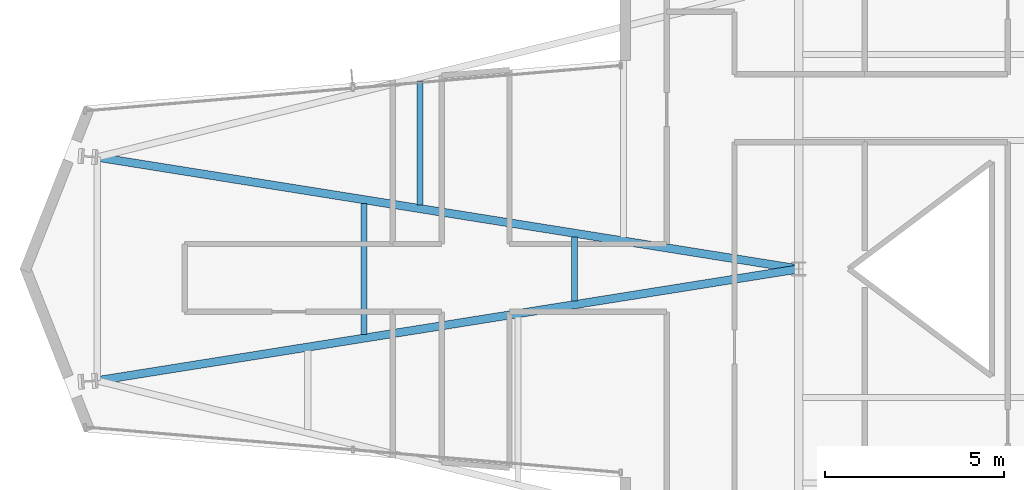
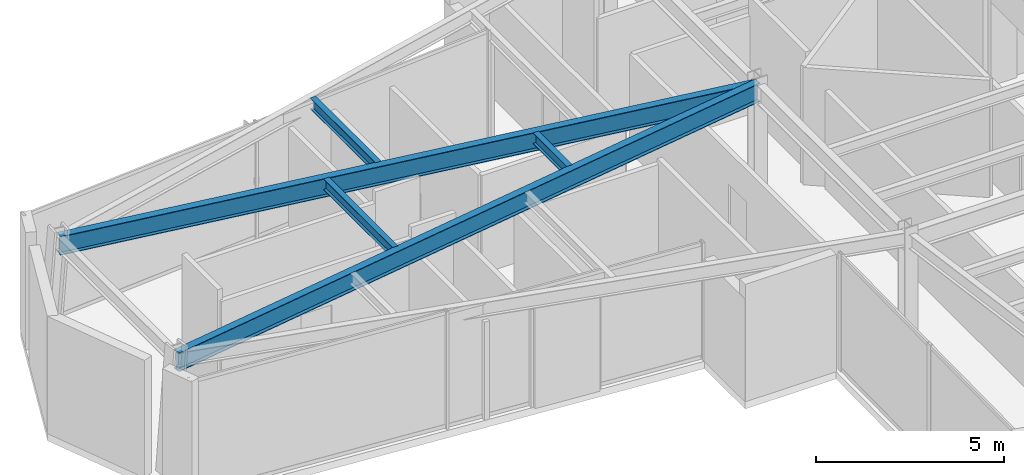
# One storey, part 7 of 25: 5 beams.
"""IFC4 building model written with IfcOpenShell, lengths in metres."""

import ifcopenshell
import ifcopenshell.guid

model = None  # the IFC model being written
_history = None  # IfcOwnerHistory: only IFC2X3 demands one
_inside = {}  # id of a spatial element -> (the spatial element, [elements in it])
_under = {}  # id of a project, library or spatial element -> (it, [spatial elements below it])
_declared = {}  # id of a project -> (the project, [libraries it declares])
_typed = {}  # id of a type object -> (the type object, [elements of that type])
_made_of = {}  # id of a material, layer set ... -> (it, [elements and type objects made of it])


def new_model(schema):
    """Start an empty IFC model of exactly this schema.

    Asked for "IFC4X3", IfcOpenShell would pick the latest addendum, in which some entities
    have other attributes; the version numbers below select the first issue.
    IFC2X3 requires an IfcOwnerHistory on every rooted entity: one is made here for all.
    """
    global model, _history
    if schema == "IFC4X3":
        model = ifcopenshell.file(schema_version=(4, 3, 0, 0))
    else:
        model = ifcopenshell.file(schema=schema)
    _inside.clear()
    _under.clear()
    _declared.clear()
    _typed.clear()
    _made_of.clear()
    _history = None
    if model.schema == "IFC2X3":
        org = make("IfcOrganization", Name="unknown")
        user = make(
            "IfcPersonAndOrganization",
            ThePerson=make("IfcPerson", FamilyName="unknown"),
            TheOrganization=org,
        )
        app = make(
            "IfcApplication",
            ApplicationDeveloper=org,
            Version="unknown",
            ApplicationFullName="unknown",
            ApplicationIdentifier="unknown",
        )
        _history = make(
            "IfcOwnerHistory",
            OwningUser=user,
            OwningApplication=app,
            ChangeAction="ADDED",
            CreationDate=0,
        )
    return model


def make(cls, **values):
    """One entity of the class cls with the attributes given. An attribute that is None is left unset."""
    return model.create_entity(
        cls, **{name: value for name, value in values.items() if value is not None}
    )


def rooted(cls, **values):
    """An entity with a GlobalId (a new one), such as an element, a storey or a relation."""
    return make(cls, GlobalId=ifcopenshell.guid.new(), OwnerHistory=_history, **values)


def si_unit(unit_type, name, prefix=None):
    """IfcSIUnit, for example si_unit("LENGTHUNIT", "METRE", prefix="MILLI")."""
    return make("IfcSIUnit", UnitType=unit_type, Prefix=prefix, Name=name)


def assignment(units):
    """IfcUnitAssignment: the units of a project."""
    return None if units is None else make("IfcUnitAssignment", Units=units)


def point(xyz):
    """IfcCartesianPoint."""
    return None if xyz is None else make("IfcCartesianPoint", Coordinates=xyz)


def direction(xyz):
    """IfcDirection."""
    return None if xyz is None else make("IfcDirection", DirectionRatios=xyz)


def frame(location, z_axis=None, x_axis=None):
    """IfcAxis2Placement3D, a coordinate frame: its origin and axes. An axis left out is left unset."""
    return make(
        "IfcAxis2Placement3D",
        Location=point(location),
        Axis=direction(z_axis),
        RefDirection=direction(x_axis),
    )


def frame_2d(location, x_axis=None):
    """IfcAxis2Placement2D, a coordinate frame in the plane: its origin and x axis."""
    return make(
        "IfcAxis2Placement2D", Location=point(location), RefDirection=direction(x_axis)
    )


def origin():
    """The frame at (0, 0, 0) with its axes left unset."""
    return frame((0.0, 0.0, 0.0))


def origin_2d():
    """The frame at (0, 0) in the plane with its x axis left unset."""
    return frame_2d((0.0, 0.0))


def place(relative_to, where):
    """IfcLocalPlacement: puts the frame where relative to a parent placement (None: the world)."""
    return make(
        "IfcLocalPlacement", PlacementRelTo=relative_to, RelativePlacement=where
    )


def context(
    kind, dimensions, precision=None, world=None, true_north=None, identifier=None
):
    """IfcGeometricRepresentationContext, for example the 3D "Model" context."""
    return make(
        "IfcGeometricRepresentationContext",
        ContextIdentifier=identifier,
        ContextType=kind,
        CoordinateSpaceDimension=dimensions,
        Precision=precision,
        WorldCoordinateSystem=world,
        TrueNorth=true_north,
    )


def subcontext(parent, identifier, kind, view, scale=None):
    """IfcGeometricRepresentationSubContext, for example "Body" below "Model"."""
    return make(
        "IfcGeometricRepresentationSubContext",
        ContextIdentifier=identifier,
        ContextType=kind,
        ParentContext=parent,
        TargetScale=scale,
        TargetView=view,
    )


def project(units=None, contexts=None):
    """IfcProject with its units and contexts."""
    return rooted(
        "IfcProject",
        Name="project",
        RepresentationContexts=contexts,
        UnitsInContext=assignment(units),
    )


def spatial(cls, under=None, at=None, **own):
    """A site, building, storey or space (cls), placed at a placement, below another one or the project."""
    s = rooted(cls, ObjectPlacement=at, **own)
    if under is not None:
        _under.setdefault(under.id(), (under, []))[1].append(s)
    return s


def profile(cls, at=None, kind="AREA", **sizes):
    """A parametric profile (cls). Its sizes go by their IFC names, for example OverallWidth=200.0."""
    return make(cls, ProfileType=kind, Position=at, **sizes)


def i_section(**sizes):
    """IfcIShapeProfileDef."""
    return profile("IfcIShapeProfileDef", **sizes)


def extrude(swept, where, along, depth):
    """IfcExtrudedAreaSolid: the profile swept, set in the frame where, extruded along a direction by depth."""
    return make(
        "IfcExtrudedAreaSolid",
        SweptArea=swept,
        Position=where,
        ExtrudedDirection=direction(along),
        Depth=depth,
    )


def shape(context_of_items, identifier, shape_type, items):
    """IfcShapeRepresentation: the items that make up one representation, for example the "Body"."""
    return make(
        "IfcShapeRepresentation",
        ContextOfItems=context_of_items,
        RepresentationIdentifier=identifier,
        RepresentationType=shape_type,
        Items=items,
    )


def material(Name=None, Category=None):
    """IfcMaterial."""
    return make("IfcMaterial", Name=Name, Category=Category)


def material_profile(
    of_material, cross_section, Name=None, Category=None, Priority=None
):
    """IfcMaterialProfile: a cross section and its material."""
    return make(
        "IfcMaterialProfile",
        Name=Name,
        Material=of_material,
        Profile=cross_section,
        Priority=Priority,
        Category=Category,
    )


def profile_set(profiles, Name=None, composite=None):
    """IfcMaterialProfileSet."""
    return make(
        "IfcMaterialProfileSet",
        Name=Name,
        MaterialProfiles=profiles,
        CompositeProfile=composite,
    )


def made_of(thing, what):
    """Note that an element or type object is made of a material, layer set ...; save() writes the relation."""
    if what is not None:
        _made_of.setdefault(what.id(), (what, []))[1].append(thing)
    return thing


def type_object(cls, material=None, **own):
    """A type object (cls), such as IfcWallType, which elements share."""
    return made_of(rooted(cls, **own), material)


def element(
    cls,
    number,
    at=None,
    inside=None,
    cuts=None,
    type_object=None,
    material=None,
    context=None,
    identifier="Body",
    shape_type=None,
    held_by="IfcProductDefinitionShape",
    body=None,
    shapes=None,
    **own,
):
    """One element of the class cls, such as IfcWall. Its Tag is "e" and its number.

    at: its placement. inside: the storey or other place that contains it. cuts: it is an
    opening in that element (IfcRelVoidsElement). A single representation is given by context,
    identifier, shape_type and body (its items); several are given by shapes. held_by: the class
    of the entity that holds the representations. save() writes the other relations.
    """
    e = rooted(cls, Tag="e%d" % number, ObjectPlacement=at, **own)
    if body is not None:
        shapes = [shape(context, identifier, shape_type, body)]
    if shapes is not None:
        e.Representation = make(held_by, Representations=shapes)
    if inside is not None:
        _inside.setdefault(inside.id(), (inside, []))[1].append(e)
    if cuts is not None:
        rooted(
            "IfcRelVoidsElement", RelatingBuildingElement=cuts, RelatedOpeningElement=e
        )
    if type_object is not None:
        _typed.setdefault(type_object.id(), (type_object, []))[1].append(e)
    return made_of(e, material)


def aggregate(whole, parts):
    """IfcRelAggregates: a whole, such as a stair, and the parts it consists of."""
    return rooted("IfcRelAggregates", RelatingObject=whole, RelatedObjects=parts)


def save(model, path):
    """Write the relations noted so far, then the file.

    IfcRelAggregates (storeys below a building ...), IfcRelContainedInSpatialStructure (elements
    in a storey), IfcRelDefinesByType, IfcRelAssociatesMaterial and IfcRelDeclares: one each for
    every whole, place, type object, material and project.
    """
    for whole, parts in _under.values():
        aggregate(whole, parts)
    for where, things in _inside.values():
        rooted(
            "IfcRelContainedInSpatialStructure",
            RelatedElements=things,
            RelatingStructure=where,
        )
    for kind, things in _typed.values():
        rooted("IfcRelDefinesByType", RelatedObjects=things, RelatingType=kind)
    for what, things in _made_of.values():
        rooted("IfcRelAssociatesMaterial", RelatedObjects=things, RelatingMaterial=what)
    for by, libraries in _declared.values():
        rooted("IfcRelDeclares", RelatingContext=by, RelatedDefinitions=libraries)
    model.write(path)


model = new_model("IFC4")

# Units and contexts
model_context = context("Model", 3, precision=1e-05, world=origin(), true_north=direction((0.0, 1.0)))
body_context = subcontext(model_context, "Body", "Model", "MODEL_VIEW")
ifc_project = project(units=[si_unit("LENGTHUNIT", "METRE"), si_unit("AREAUNIT", "SQUARE_METRE"), si_unit("VOLUMEUNIT", "CUBIC_METRE"), si_unit("PLANEANGLEUNIT", "RADIAN"), si_unit("MASSUNIT", "GRAM", prefix="KILO")], contexts=[model_context])

# Site, building, storey
site_placement = place(None, origin())
site = spatial("IfcSite", under=ifc_project, at=site_placement, CompositionType="ELEMENT")
building_placement = place(site_placement, origin())
building = spatial("IfcBuilding", under=site, at=building_placement, Name="Veymaron Broadcast Tower", CompositionType="ELEMENT")
storey_placement = place(building_placement, frame((0.0, 0.0, 149.25)))
storey = spatial("IfcBuildingStorey", under=building, at=storey_placement, Name="L34", CompositionType="ELEMENT", Elevation=149.25)

# Beams
ifc_material = material(Name="Structural steel ASTM A992 Gr 50", Category="steel")
ifc_material_profile_1 = material_profile(ifc_material, i_section(OverallWidth=0.22802734375, OverallDepth=0.60791015625, WebThickness=0.01123046875, FlangeThickness=0.017333984375, at=origin_2d()), Name="W610X113")
ifc_profile_set_1 = profile_set([ifc_material_profile_1], Name="Structural steel ASTM A992 Gr 50")
beam_type_1 = type_object("IfcBeamType", Name="BM-FG2", PredefinedType="BEAM", material=ifc_profile_set_1)
for number, where, z_axis, x_axis, name in (
    (1, (11.5537109375, 20.8720703125, 3.506103515625), (0.987561646765, 0.157232292607, 0.0), (-0.157232292607, 0.987561646765, 0.0), "L34 primary structural floor girder"),
    (2, (11.5537109375, 27.1279296875, 3.506103515625), (0.987561646765, -0.157232292607, 0.0), (0.157232292607, 0.987561646765, 0.0), "L34 primary structural floor girder"),
):
    element("IfcBeam", number, at=place(storey_placement, frame(where, z_axis=z_axis, x_axis=x_axis)), inside=storey, type_object=beam_type_1, Name=name, PredefinedType="BEAM", context=body_context, shape_type="SweptSolid", body=[
        extrude(i_section(OverallWidth=0.22802734375, OverallDepth=0.60791015625, WebThickness=0.01123046875, FlangeThickness=0.017333984375, at=origin_2d()), origin(), (0.0, 0.0, 1.0), 19.893798828125),
    ])
ifc_material_profile_2 = material_profile(ifc_material, i_section(OverallWidth=0.1708984375, OverallDepth=0.35498046875, WebThickness=0.007080078125, FlangeThickness=0.01171875, at=origin_2d()), Name="W360X51")
ifc_profile_set_2 = profile_set([ifc_material_profile_2], Name="Structural steel ASTM A992 Gr 50")
beam_type_2 = type_object("IfcBeamType", Name="BM-JS2", PredefinedType="JOIST", material=ifc_profile_set_2)
beam_1_placement = place(storey_placement, frame((19.019287109375, 22.16064453125, 3.632568359375), z_axis=(0.0, 1.0, 0.0), x_axis=(-1.0, 0.0, 0.0)))
element("IfcBeam", 3, at=beam_1_placement, inside=storey, type_object=beam_type_2, Name="L34 Arm-A secondary joist 1M", PredefinedType="JOIST", context=body_context, shape_type="SweptSolid", body=[
    extrude(i_section(OverallWidth=0.1708984375, OverallDepth=0.35498046875, WebThickness=0.007080078125, FlangeThickness=0.01171875, at=origin_2d()), origin(), (0.0, 0.0, 1.0), 3.6787109375),
])
beam_2_placement = place(storey_placement, frame((20.5908203125, 25.7890625, 3.632568359375), z_axis=(0.0, 1.0, 0.0), x_axis=(-1.0, 0.0, 0.0)))
element("IfcBeam", 4, at=beam_2_placement, inside=storey, type_object=beam_type_2, Name="L34 Arm-A secondary joist 1N", PredefinedType="JOIST", context=body_context, shape_type="SweptSolid", body=[
    extrude(i_section(OverallWidth=0.1708984375, OverallDepth=0.35498046875, WebThickness=0.007080078125, FlangeThickness=0.01171875, at=origin_2d()), origin(), (0.0, 0.0, 1.0), 3.47998046875),
])
beam_3_placement = place(storey_placement, frame((24.9130859375, 23.09912109375, 3.632568359375), z_axis=(0.0, 1.0, 0.0), x_axis=(-1.0, 0.0, 0.0)))
element("IfcBeam", 5, at=beam_3_placement, inside=storey, type_object=beam_type_2, Name="L34 Arm-A secondary joist 2M", PredefinedType="JOIST", context=body_context, shape_type="SweptSolid", body=[
    extrude(i_section(OverallWidth=0.1708984375, OverallDepth=0.35498046875, WebThickness=0.007080078125, FlangeThickness=0.01171875, at=origin_2d()), origin(), (0.0, 0.0, 1.0), 1.8017578125),
])

save(model, "model.ifc")
